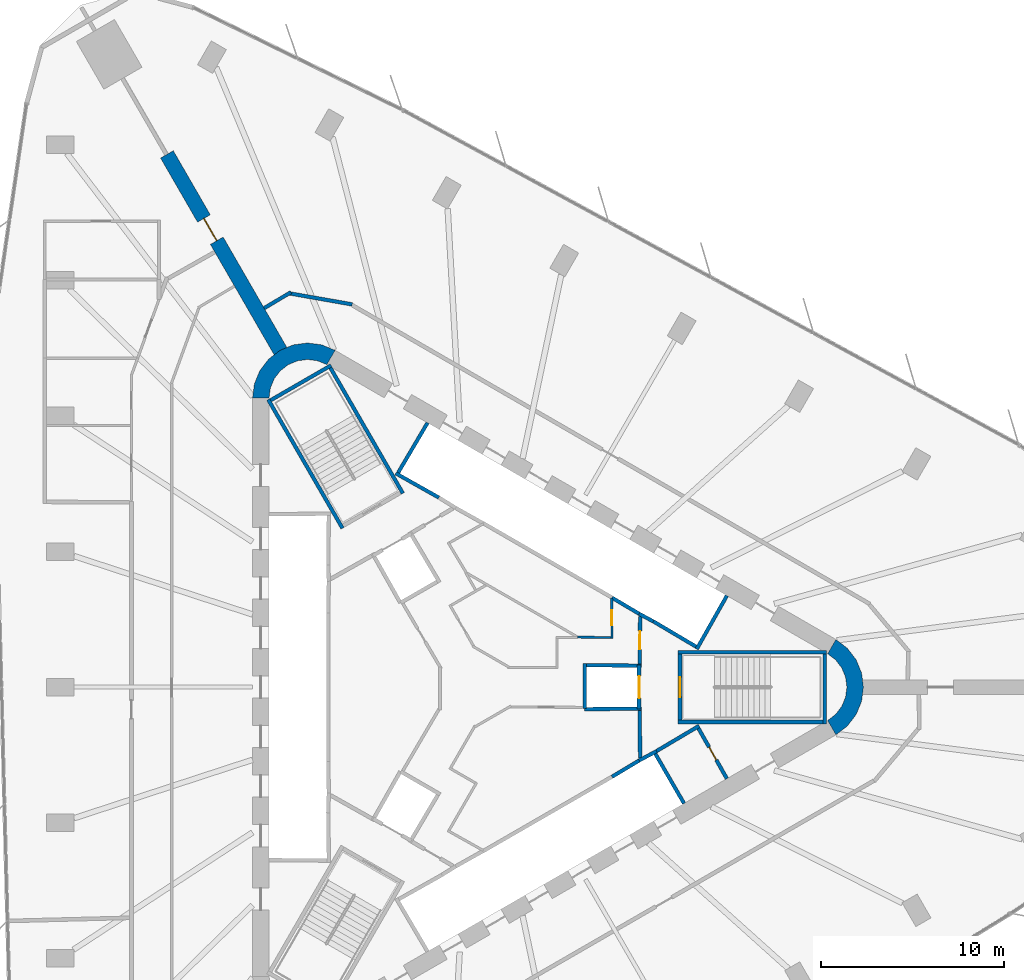
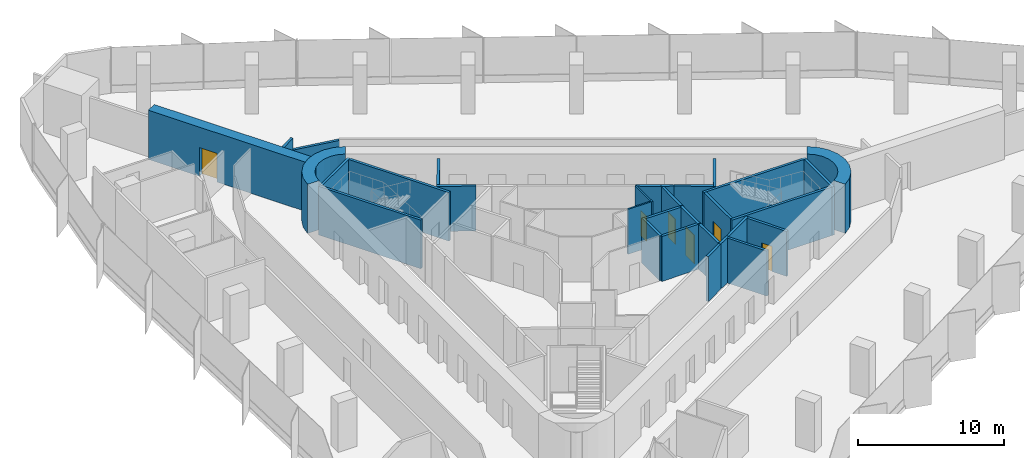
# One storey, part 11 of 14: 31 walls, 6 doors, 6 openings.
"""IFC4 building model written with IfcOpenShell, lengths in metres."""

from ifc_helpers import new_model, si_unit, direction, frame, frame_2d, origin, place, context, subcontext, project, spatial, polyline, rectangle, outline, extrude, material, layer, layer_set, type_object, element, fill, save


model = new_model("IFC4")

# Units and contexts
model_context = context("Model", 3, precision=1e-05, world=origin(), true_north=direction((0.0, 1.0)))
body_context = subcontext(model_context, "Body", "Model", "MODEL_VIEW")
ifc_project = project(units=[si_unit("LENGTHUNIT", "METRE"), si_unit("AREAUNIT", "SQUARE_METRE"), si_unit("VOLUMEUNIT", "CUBIC_METRE"), si_unit("PLANEANGLEUNIT", "RADIAN"), si_unit("MASSUNIT", "GRAM", prefix="KILO")], contexts=[model_context])

# Site, building, storey
site_placement = place(None, origin())
site = spatial("IfcSite", under=ifc_project, at=site_placement, CompositionType="ELEMENT")
building_placement = place(site_placement, origin())
building = spatial("IfcBuilding", under=site, at=building_placement, Name="Tanit Gate Tower", CompositionType="ELEMENT")
storey_placement = place(building_placement, frame((0.0, 0.0, 152.10009765625)))
storey = spatial("IfcBuildingStorey", under=building, at=storey_placement, Name="L33", CompositionType="ELEMENT", Elevation=152.10009765625)

# Wall, opening, door
ifc_material_1 = material(Name="Concrete C60/75", Category="concrete")
ifc_layer_1 = layer(ifc_material_1, 0.800048828125)
ifc_layer_set_1 = layer_set([ifc_layer_1], Name="BUTTRESS FIN 800 C60/75")
wall_type_1 = type_object("IfcWallType", Name="BUTTRESS FIN 800 C60/75", PredefinedType="SHEAR", material=ifc_layer_set_1)
wall_1_placement = place(storey_placement, frame((-10.574951171875, 18.31640625, 0.0), z_axis=(0.0, 0.0, 1.0), x_axis=(-0.500002326941, 0.86602406032, 0.0)))
wall_1 = element("IfcWall", 1, at=wall_1_placement, inside=storey, type_object=wall_type_1, Name="BUTTRESS FIN", PredefinedType="SHEAR", context=body_context, shape_type="SweptSolid", body=[
    extrude(rectangle(XDim=12.3837890625, YDim=0.800048828125, at=frame_2d((6.19189453125, 0.0))), origin(), (0.0, 0.0, 1.0), 4.099853515625),
])
opening_1_placement = place(wall_1_placement, frame((6.949951171875, 0.0, 0.0)))
opening_1 = element("IfcOpeningElement", 2, at=opening_1_placement, cuts=wall_1, Name="Opening P14-S08-F-NW-1", PredefinedType="OPENING", context=body_context, shape_type="SweptSolid", body=[
    extrude(rectangle(XDim=1.39990234375, YDim=2.39990234375, at=frame_2d((0.699951171875, 1.199951171875))), frame((0.0, 0.41015625, 0.0), z_axis=(0.0, -1.0, 0.0), x_axis=(1.0, 0.0, 0.0)), (0.0, 0.0, 1.0), 0.820068359375),
])
ifc_material_2 = material(Name="Timber door leaf", Category="wood")
door_type_1 = type_object("IfcDoorType", Name="INT-DOOR-FIN-PAIR-1400", OperationType="NOTDEFINED", PredefinedType="NOTDEFINED", material=ifc_material_2)
door_1_placement = place(opening_1_placement, origin())
door_1 = element("IfcDoor", 3, at=door_1_placement, inside=storey, type_object=door_type_1, Name="Door P14-S08-F-NW-1", OperationType="DOUBLE_DOOR_SINGLE_SWING", OverallHeight=2.39990234375, OverallWidth=1.39990234375, PredefinedType="NOTDEFINED", context=body_context, shape_type="SweptSolid", body=[
    extrude(rectangle(XDim=1.39990234375, YDim=2.39990234375, at=frame_2d((0.699951171875, 1.199951171875))), frame((0.0, 0.02490234375, 0.0), z_axis=(0.0, -1.0, 0.0), x_axis=(1.0, 0.0, 0.0)), (0.0, 0.0, 1.0), 0.050048828125),
])
fill(opening_1, door_1)

# Walls
ifc_material_3 = material(Name="Concrete C60/75", Category="concrete")
ifc_layer_2 = layer(ifc_material_3, 0.89990234375)
ifc_layer_set_2 = layer_set([ifc_layer_2], Name="CORE WALL 900 C60/75")
wall_type_2 = type_object("IfcWallType", Name="CORE WALL 900 C60/75", PredefinedType="SHEAR", material=ifc_layer_set_2)
wall_2_placement = place(storey_placement, origin())
element("IfcWall", 4, at=wall_2_placement, inside=storey, type_object=wall_type_2, Name="CORE WALL CORNER", PredefinedType="SHEAR", context=body_context, shape_type="SweptSolid", body=[
    extrude(outline(polyline([(-7.60009765625, 18.359619140625), (-8.323486328125, 18.659423828125), (-9.10009765625, 18.76171875), (-9.87646484375, 18.659423828125), (-10.60009765625, 18.359619140625), (-11.22119140625, 17.883056640625), (-11.697998046875, 17.26171875), (-11.997802734375, 16.5380859375), (-12.10009765625, 15.76171875), (-11.199951171875, 15.76171875), (-11.12841796875, 16.30517578125), (-10.918701171875, 16.811767578125), (-10.5849609375, 17.24658203125), (-10.14990234375, 17.580322265625), (-9.6435546875, 17.7900390625), (-9.10009765625, 17.86181640625), (-8.556396484375, 17.7900390625), (-8.050048828125, 17.580322265625), (-7.60009765625, 18.359619140625)])), origin(), (0.0, 0.0, 1.0), 4.099853515625),
])
wall_3_placement = place(storey_placement, origin())
element("IfcWall", 5, at=wall_3_placement, inside=storey, type_object=wall_type_2, Name="CORE WALL CORNER", PredefinedType="SHEAR", context=body_context, shape_type="SweptSolid", body=[
    extrude(outline(polyline([(19.699951171875, -2.59814453125), (20.3212890625, -2.121337890625), (20.798095703125, -1.5), (21.097900390625, -0.776611328125), (21.199951171875, 0.0), (21.097900390625, 0.776611328125), (20.798095703125, 1.5), (20.3212890625, 2.121337890625), (19.699951171875, 2.59814453125), (19.25, 1.818603515625), (19.684814453125, 1.48486328125), (20.018798828125, 1.050048828125), (20.228515625, 0.54345703125), (20.300048828125, 0.0), (20.228515625, -0.54345703125), (20.018798828125, -1.050048828125), (19.684814453125, -1.48486328125), (19.25, -1.818603515625), (19.699951171875, -2.59814453125)])), origin(), (0.0, 0.0, 1.0), 4.099853515625),
])
ifc_material_4 = material(Name="Fire-rated gypsum board partition")
ifc_layer_3 = layer(ifc_material_4, 0.199951171875)
ifc_layer_set_3 = layer_set([ifc_layer_3], Name="INT-WALL-COMPARTMENT")
wall_type_3 = type_object("IfcWallType", Name="INT-WALL-COMPARTMENT", PredefinedType="PARTITIONING", material=ifc_layer_set_3)
wall_4_placement = place(storey_placement, frame((12.244873046875, -2.10888671875, 0.0), z_axis=(0.0, 0.0, 1.0), x_axis=(-0.860414880418, -0.509594185166, 0.0)))
element("IfcWall", 6, at=wall_4_placement, inside=storey, type_object=wall_type_3, Name="Wall Compartment W057", PredefinedType="PARTITIONING", context=body_context, shape_type="SweptSolid", body=[
    extrude(rectangle(XDim=2.7001953125, YDim=0.199951171875, at=frame_2d((1.35009765625, 0.0))), origin(), (0.0, 0.0, 1.0), 3.75),
])

# Wall, opening, door
wall_5_placement = place(storey_placement, frame((13.758056640625, -4.989501953125, 0.0), z_axis=(0.0, 0.0, 1.0), x_axis=(-0.491993409184, 0.87059892334, 0.0)))
wall_5 = element("IfcWall", 7, at=wall_5_placement, inside=storey, type_object=wall_type_3, Name="Wall Compartment W058", PredefinedType="PARTITIONING", context=body_context, shape_type="SweptSolid", body=[
    extrude(rectangle(XDim=3.150146484375, YDim=0.199951171875, at=frame_2d((1.5751953125, 0.0))), origin(), (0.0, 0.0, 1.0), 3.75),
])
opening_2_placement = place(wall_5_placement, frame((1.175048828125, 0.0, 0.0)))
opening_2 = element("IfcOpeningElement", 8, at=opening_2_placement, cuts=wall_5, Name="Opening R08-S08-14", PredefinedType="OPENING", context=body_context, shape_type="SweptSolid", body=[
    extrude(rectangle(XDim=0.800048828125, YDim=2.10009765625, at=frame_2d((0.39990234375, 1.050048828125))), frame((0.0, 0.10986328125, 0.0), z_axis=(0.0, -1.0, 0.0), x_axis=(1.0, 0.0, 0.0)), (0.0, 0.0, 1.0), 0.219970703125),
])
ifc_material_5 = material(Name="Timber door leaf", Category="wood")
door_type_2 = type_object("IfcDoorType", Name="INT-DOOR-RISER-800", OperationType="NOTDEFINED", PredefinedType="USERDEFINED", material=ifc_material_5)
door_2_placement = place(opening_2_placement, origin())
door_2 = element("IfcDoor", 9, at=door_2_placement, inside=storey, type_object=door_type_2, Name="Door R08-S08-14", ObjectType="FIRE DOOR", OperationType="SINGLE_SWING_LEFT", OverallHeight=2.10009765625, OverallWidth=0.800048828125, PredefinedType="USERDEFINED", context=body_context, shape_type="SweptSolid", body=[
    extrude(rectangle(XDim=0.800048828125, YDim=2.10009765625, at=frame_2d((0.39990234375, 1.050048828125))), frame((0.0, 0.02490234375, 0.0), z_axis=(0.0, -1.0, 0.0), x_axis=(1.0, 0.0, 0.0)), (0.0, 0.0, 1.0), 0.050048828125),
])
fill(opening_2, door_2)

# Wall
wall_6_placement = place(storey_placement, frame((9.02880859375, -3.8505859375, 0.0), z_axis=(0.0, 0.0, 1.0), x_axis=(-0.010784614026, 0.999941844359, 0.0)))
element("IfcWall", 10, at=wall_6_placement, inside=storey, type_object=wall_type_3, Name="Wall Compartment W059", PredefinedType="PARTITIONING", context=body_context, shape_type="SweptSolid", body=[
    extrude(rectangle(XDim=2.580810546875, YDim=0.199951171875, at=frame_2d((1.29052734375, 0.0))), origin(), (0.0, 0.0, 1.0), 3.75),
])

# Wall, opening, door
wall_7_placement = place(storey_placement, frame((9.0009765625, 1.27001953125, 0.0), z_axis=(0.0, 0.0, 1.0), x_axis=(0.010783593937, 0.99994185536, 0.0)))
wall_7 = element("IfcWall", 11, at=wall_7_placement, inside=storey, type_object=wall_type_3, Name="Wall Compartment W060", PredefinedType="PARTITIONING", context=body_context, shape_type="SweptSolid", body=[
    extrude(rectangle(XDim=2.5810546875, YDim=0.199951171875, at=frame_2d((1.29052734375, 0.0))), origin(), (0.0, 0.0, 1.0), 3.75),
])
opening_3_placement = place(wall_7_placement, frame((0.79052734375, 0.0, 0.0)))
opening_3 = element("IfcOpeningElement", 12, at=opening_3_placement, cuts=wall_7, Name="Opening F10-S08-02", PredefinedType="OPENING", context=body_context, shape_type="SweptSolid", body=[
    extrude(rectangle(XDim=1.0, YDim=2.10009765625, at=frame_2d((0.5, 1.050048828125))), frame((0.0, 0.10986328125, 0.0), z_axis=(0.0, -1.0, 0.0), x_axis=(1.0, 0.0, 0.0)), (0.0, 0.0, 1.0), 0.219970703125),
])
ifc_material_6 = material(Name="Fire-rated steel door leaf", Category="steel")
door_type_3 = type_object("IfcDoorType", Name="INT-DOOR-FIRE-1000", OperationType="NOTDEFINED", PredefinedType="USERDEFINED", material=ifc_material_6)
door_3_placement = place(opening_3_placement, origin())
door_3 = element("IfcDoor", 13, at=door_3_placement, inside=storey, type_object=door_type_3, Name="Door F10-S08-02", ObjectType="FIRE DOOR", OperationType="SINGLE_SWING_LEFT", OverallHeight=2.10009765625, OverallWidth=1.0, PredefinedType="USERDEFINED", context=body_context, shape_type="SweptSolid", body=[
    extrude(rectangle(XDim=1.0, YDim=2.10009765625, at=frame_2d((0.5, 1.050048828125))), frame((0.0, 0.02490234375, 0.0), z_axis=(0.0, -1.0, 0.0), x_axis=(1.0, 0.0, 0.0)), (0.0, 0.0, 1.0), 0.050048828125),
])
fill(opening_3, door_3)

# Walls
wall_8_placement = place(storey_placement, frame((-10.00732421875, 21.528564453125, 0.0), z_axis=(0.0, 0.0, 1.0), x_axis=(-0.858379714818, -0.513014878136, 0.0)))
element("IfcWall", 14, at=wall_8_placement, inside=storey, type_object=wall_type_3, Name="Wall Compartment W101", PredefinedType="PARTITIONING", context=body_context, shape_type="SweptSolid", body=[
    extrude(rectangle(XDim=1.697998046875, YDim=0.199951171875, at=frame_2d((0.84912109375, 0.0))), origin(), (0.0, 0.0, 1.0), 3.75),
])
wall_9_placement = place(storey_placement, frame((-6.667236328125, 20.863037109375, 0.0), z_axis=(0.0, 0.0, 1.0), x_axis=(-0.984817805596, 0.173591156977, 0.0)))
element("IfcWall", 15, at=wall_9_placement, inside=storey, type_object=wall_type_3, Name="Wall Compartment W102", PredefinedType="PARTITIONING", context=body_context, shape_type="SweptSolid", body=[
    extrude(rectangle(XDim=3.44287109375, YDim=0.199951171875, at=frame_2d((1.721435546875, 0.0))), origin(), (0.0, 0.0, 1.0), 2.829833984375),
])

# Wall, opening, door
ifc_material_7 = material(Name="Gypsum board partition")
ifc_layer_4 = layer(ifc_material_7, 0.1201171875)
ifc_layer_set_4 = layer_set([ifc_layer_4], Name="INT-WALL-PARTITION")
wall_type_4 = type_object("IfcWallType", Name="INT-WALL-PARTITION", PredefinedType="PARTITIONING", material=ifc_layer_set_4)
wall_10_placement = place(storey_placement, frame((7.500732421875, 2.639892578125, 0.0), z_axis=(0.0, 0.0, 1.0), x_axis=(-0.01174194727, 0.999931060961, 0.0)))
wall_10 = element("IfcWall", 16, at=wall_10_placement, inside=storey, type_object=wall_type_4, Name="Wall Partition W077", PredefinedType="PARTITIONING", context=body_context, shape_type="SweptSolid", body=[
    extrude(rectangle(XDim=2.224853515625, YDim=0.1201171875, at=frame_2d((1.1123046875, 0.0))), origin(), (0.0, 0.0, 1.0), 3.75),
])
opening_4_placement = place(wall_10_placement, frame((0.7421875, 0.0, 0.0)))
opening_4 = element("IfcOpeningElement", 17, at=opening_4_placement, cuts=wall_10, Name="Opening R08-S08-12", PredefinedType="OPENING", context=body_context, shape_type="SweptSolid", body=[
    extrude(rectangle(XDim=0.800048828125, YDim=2.10009765625, at=frame_2d((0.39990234375, 1.050048828125))), frame((0.0, 0.070068359375, 0.0), z_axis=(0.0, -1.0, 0.0), x_axis=(1.0, 0.0, 0.0)), (0.0, 0.0, 1.0), 0.14013671875),
])
door_4_placement = place(opening_4_placement, origin())
door_4 = element("IfcDoor", 18, at=door_4_placement, inside=storey, type_object=door_type_2, Name="Door R08-S08-12", ObjectType="FIRE DOOR", OperationType="SINGLE_SWING_RIGHT", OverallHeight=2.10009765625, OverallWidth=0.800048828125, PredefinedType="USERDEFINED", context=body_context, shape_type="SweptSolid", body=[
    extrude(rectangle(XDim=0.800048828125, YDim=2.10009765625, at=frame_2d((0.39990234375, 1.050048828125))), frame((0.0, 0.02490234375, 0.0), z_axis=(0.0, -1.0, 0.0), x_axis=(1.0, 0.0, 0.0)), (0.0, 0.0, 1.0), 0.050048828125),
])
fill(opening_4, door_4)

# Walls
wall_11_placement = place(storey_placement, frame((5.616943359375, 2.72900390625, 0.0), z_axis=(0.0, 0.0, 1.0), x_axis=(0.999881424181, -0.015399271967, 0.0)))
element("IfcWall", 19, at=wall_11_placement, inside=storey, type_object=wall_type_4, Name="Wall Partition W078", PredefinedType="PARTITIONING", context=body_context, shape_type="SweptSolid", body=[
    extrude(rectangle(XDim=1.8232421875, YDim=0.1201171875, at=frame_2d((0.91162109375, 0.0))), origin(), (0.0, 0.0, 1.0), 3.75),
])
ifc_material_8 = material(Name="Gypsum shaft wall system")
ifc_layer_5 = layer(ifc_material_8, 0.199951171875)
ifc_layer_set_5 = layer_set([ifc_layer_5], Name="INT-WALL-SHAFT")
wall_type_5 = type_object("IfcWallType", Name="INT-WALL-SHAFT", PredefinedType="PLUMBINGWALL", material=ifc_layer_set_5)
wall_12_placement = place(storey_placement, frame((12.10986328125, 2.07275390625, 0.0), z_axis=(0.0, 0.0, 1.0), x_axis=(0.49196600604, 0.870614408852, 0.0)))
element("IfcWall", 20, at=wall_12_placement, inside=storey, type_object=wall_type_5, Name="Wall Shaft W013", PredefinedType="PLUMBINGWALL", context=body_context, shape_type="SweptSolid", body=[
    extrude(rectangle(XDim=3.35009765625, YDim=0.199951171875, at=frame_2d((1.675048828125, 0.0))), origin(), (0.0, 0.0, 1.0), 3.75),
])
wall_13_placement = place(storey_placement, frame((12.072998046875, 2.2109375, 0.0), z_axis=(0.0, 0.0, 1.0), x_axis=(-0.860438357912, 0.509554542943, 0.0)))
element("IfcWall", 21, at=wall_13_placement, inside=storey, type_object=wall_type_5, Name="Wall Shaft W014", PredefinedType="PLUMBINGWALL", context=body_context, shape_type="SweptSolid", body=[
    extrude(rectangle(XDim=2.700439453125, YDim=0.199951171875, at=frame_2d((1.35009765625, 0.0))), origin(), (0.0, 0.0, 1.0), 3.75),
])
wall_14_placement = place(storey_placement, frame((9.74755859375, 3.583251953125, 0.0), z_axis=(0.0, 0.0, 1.0), x_axis=(-0.880917147855, 0.473270513147, 0.0)))
element("IfcWall", 22, at=wall_14_placement, inside=storey, type_object=wall_type_5, Name="Wall Shaft W015", PredefinedType="PLUMBINGWALL", context=body_context, shape_type="SweptSolid", body=[
    extrude(rectangle(XDim=0.8779296875, YDim=0.199951171875, at=frame_2d((0.43896484375, 0.0))), origin(), (0.0, 0.0, 1.0), 3.75),
])
wall_15_placement = place(storey_placement, frame((9.07958984375, 3.93701171875, 0.0), z_axis=(0.0, 0.0, 1.0), x_axis=(-0.859981807212, 0.510324691999, 0.0)))
element("IfcWall", 23, at=wall_15_placement, inside=storey, type_object=wall_type_5, Name="Wall Shaft W016", PredefinedType="PLUMBINGWALL", context=body_context, shape_type="SweptSolid", body=[
    extrude(rectangle(XDim=1.8447265625, YDim=0.199951171875, at=frame_2d((0.92236328125, 0.0))), origin(), (0.0, 0.0, 1.0), 3.75),
])
wall_16_placement = place(storey_placement, frame((-4.296142578125, 11.658935546875, 0.0), z_axis=(0.0, 0.0, 1.0), x_axis=(0.871534483978, -0.490334215854, 0.0)))
element("IfcWall", 24, at=wall_16_placement, inside=storey, type_object=wall_type_5, Name="Wall Shaft W021", PredefinedType="PLUMBINGWALL", context=body_context, shape_type="SweptSolid", body=[
    extrude(rectangle(XDim=2.7001953125, YDim=0.199951171875, at=frame_2d((1.35009765625, 0.0))), origin(), (0.0, 0.0, 1.0), 3.75),
])
wall_17_placement = place(storey_placement, frame((-4.158203125, 11.696044921875, 0.0), z_axis=(0.0, 0.0, 1.0), x_axis=(0.508018930956, 0.861345903683, 0.0)))
element("IfcWall", 25, at=wall_17_placement, inside=storey, type_object=wall_type_5, Name="Wall Shaft W022", PredefinedType="PLUMBINGWALL", context=body_context, shape_type="SweptSolid", body=[
    extrude(rectangle(XDim=3.150146484375, YDim=0.199951171875, at=frame_2d((1.5751953125, 0.0))), origin(), (0.0, 0.0, 1.0), 3.75),
])
wall_18_placement = place(storey_placement, frame((9.794677734375, -3.52490234375, 0.0), z_axis=(0.0, 0.0, 1.0), x_axis=(0.499984717929, -0.866034226713, 0.0)))
element("IfcWall", 26, at=wall_18_placement, inside=storey, type_object=wall_type_5, Name="Wall Shaft W024", PredefinedType="PLUMBINGWALL", context=body_context, shape_type="SweptSolid", body=[
    extrude(rectangle(XDim=3.25, YDim=0.199951171875, at=frame_2d((1.625, 0.0))), origin(), (0.0, 0.0, 1.0), 3.75),
])
wall_19_placement = place(storey_placement, frame((8.97412109375, -3.998779296875, 0.0), z_axis=(0.0, 0.0, 1.0), x_axis=(0.880907015104, 0.473289373154, 0.0)))
element("IfcWall", 27, at=wall_19_placement, inside=storey, type_object=wall_type_5, Name="Wall Shaft W025", PredefinedType="PLUMBINGWALL", context=body_context, shape_type="SweptSolid", body=[
    extrude(rectangle(XDim=1.078125, YDim=0.199951171875, at=frame_2d((0.5390625, 0.0))), origin(), (0.0, 0.0, 1.0), 3.75),
])
wall_20_placement = place(storey_placement, frame((7.497314453125, -4.885986328125, 0.0), z_axis=(0.0, 0.0, 1.0), x_axis=(0.857516281273, 0.51445682749, 0.0)))
element("IfcWall", 28, at=wall_20_placement, inside=storey, type_object=wall_type_5, Name="Wall Shaft W026", PredefinedType="PLUMBINGWALL", context=body_context, shape_type="SweptSolid", body=[
    extrude(rectangle(XDim=1.8447265625, YDim=0.199951171875, at=frame_2d((0.92236328125, 0.0))), origin(), (0.0, 0.0, 1.0), 3.75),
])

# Wall, opening, door
wall_21_placement = place(storey_placement, frame((8.969970703125, 1.199951171875, 0.0), z_axis=(0.0, 0.0, 1.0), x_axis=(0.0, -1.0, 0.0)))
wall_21 = element("IfcWall", 29, at=wall_21_placement, inside=storey, type_object=wall_type_5, Name="Wall Shaft W037", PredefinedType="PLUMBINGWALL", context=body_context, shape_type="SweptSolid", body=[
    extrude(rectangle(XDim=2.39990234375, YDim=0.199951171875, at=frame_2d((1.199951171875, 0.0))), origin(), (0.0, 0.0, 1.0), 3.75),
])
opening_5_placement = place(wall_21_placement, frame((0.60009765625, 0.0, 0.0)))
opening_5 = element("IfcOpeningElement", 30, at=opening_5_placement, cuts=wall_21, Name="Opening LDFL1-L33", PredefinedType="OPENING", context=body_context, shape_type="SweptSolid", body=[
    extrude(rectangle(XDim=1.199951171875, YDim=2.39990234375, at=frame_2d((0.60009765625, 1.199951171875))), frame((0.0, 0.10986328125, 0.0), z_axis=(0.0, -1.0, 0.0), x_axis=(1.0, 0.0, 0.0)), (0.0, 0.0, 1.0), 0.219970703125),
])
ifc_material_9 = material(Name="Stainless steel sliding door leaf", Category="steel")
door_type_4 = type_object("IfcDoorType", Name="INT-DOOR-LANDING-1200", OperationType="NOTDEFINED", PredefinedType="USERDEFINED", material=ifc_material_9)
door_5_placement = place(opening_5_placement, origin())
door_5 = element("IfcDoor", 31, at=door_5_placement, inside=storey, type_object=door_type_4, Name="Door LDFL1-L33", ObjectType="LANDING DOOR", OperationType="SLIDING_TO_LEFT", OverallHeight=2.39990234375, OverallWidth=1.199951171875, PredefinedType="USERDEFINED", context=body_context, shape_type="SweptSolid", body=[
    extrude(rectangle(XDim=1.199951171875, YDim=2.39990234375, at=frame_2d((0.60009765625, 1.199951171875))), frame((0.0, 0.02490234375, 0.0), z_axis=(0.0, -1.0, 0.0), x_axis=(1.0, 0.0, 0.0)), (0.0, 0.0, 1.0), 0.050048828125),
])
fill(opening_5, door_5)

# Walls
wall_22_placement = place(storey_placement, frame((9.10009765625, -1.1689453125, 0.0), z_axis=(0.0, 0.0, 1.0), x_axis=(-0.999949988, -0.010001074852, 0.0)))
element("IfcWall", 32, at=wall_22_placement, inside=storey, type_object=wall_type_5, Name="Wall Shaft W038", PredefinedType="PLUMBINGWALL", context=body_context, shape_type="SweptSolid", body=[
    extrude(rectangle(XDim=3.100341796875, YDim=0.199951171875, at=frame_2d((1.55029296875, 0.0))), origin(), (0.0, 0.0, 1.0), 3.75),
])
wall_23_placement = place(storey_placement, frame((6.0, -1.16455078125, 0.0), z_axis=(0.0, 0.0, 1.0), x_axis=(0.0, 1.0, 0.0)))
element("IfcWall", 33, at=wall_23_placement, inside=storey, type_object=wall_type_5, Name="Wall Shaft W039", PredefinedType="PLUMBINGWALL", context=body_context, shape_type="SweptSolid", body=[
    extrude(rectangle(XDim=2.464599609375, YDim=0.199951171875, at=frame_2d((1.232421875, 0.0))), origin(), (0.0, 0.0, 1.0), 3.75),
])
wall_24_placement = place(storey_placement, frame((9.10009765625, 1.1689453125, 0.0), z_axis=(0.0, 0.0, 1.0), x_axis=(-0.99994990606, 0.010009264196, 0.0)))
element("IfcWall", 34, at=wall_24_placement, inside=storey, type_object=wall_type_5, Name="Wall Shaft W040", PredefinedType="PLUMBINGWALL", context=body_context, shape_type="SweptSolid", body=[
    extrude(rectangle(XDim=3.000244140625, YDim=0.199951171875, at=frame_2d((1.5, 0.0))), origin(), (0.0, 0.0, 1.0), 3.75),
])
ifc_material_10 = material(Name="Concrete C40/50", Category="concrete")
ifc_layer_6 = layer(ifc_material_10, 0.199951171875)
ifc_layer_set_6 = layer_set([ifc_layer_6], Name="INT-WALL-STAIR")
wall_type_6 = type_object("IfcWallType", Name="INT-WALL-STAIR", PredefinedType="SHEAR", material=ifc_layer_set_6)
wall_25_placement = place(storey_placement, frame((19.199951171875, 1.89990234375, -0.300048828125), z_axis=(0.0, 0.0, 1.0), x_axis=(-1.0, 0.0, 0.0)))
element("IfcWall", 35, at=wall_25_placement, inside=storey, type_object=wall_type_6, Name="Wall Stair W033", PredefinedType="SHEAR", context=body_context, shape_type="SweptSolid", body=[
    extrude(rectangle(XDim=8.099853515625, YDim=0.199951171875, at=frame_2d((4.0498046875, 0.0))), origin(), (0.0, 0.0, 1.0), 4.050048828125),
])
wall_26_placement = place(storey_placement, frame((19.10009765625, -2.0, -0.300048828125), z_axis=(0.0, 0.0, 1.0), x_axis=(0.0, 1.0, 0.0)))
element("IfcWall", 36, at=wall_26_placement, inside=storey, type_object=wall_type_6, Name="Wall Stair W034", PredefinedType="SHEAR", context=body_context, shape_type="SweptSolid", body=[
    extrude(rectangle(XDim=3.800048828125, YDim=0.199951171875, at=frame_2d((1.89990234375, 0.0))), origin(), (0.0, 0.0, 1.0), 4.050048828125),
])
wall_27_placement = place(storey_placement, frame((11.10009765625, -1.89990234375, -0.300048828125), z_axis=(0.0, 0.0, 1.0), x_axis=(1.0, 0.0, 0.0)))
element("IfcWall", 37, at=wall_27_placement, inside=storey, type_object=wall_type_6, Name="Wall Stair W035", PredefinedType="SHEAR", context=body_context, shape_type="SweptSolid", body=[
    extrude(rectangle(XDim=7.89990234375, YDim=0.199951171875, at=frame_2d((3.949951171875, 0.0))), origin(), (0.0, 0.0, 1.0), 4.050048828125),
])

# Wall, opening, door
wall_28_placement = place(storey_placement, frame((11.199951171875, -1.800048828125, -0.300048828125), z_axis=(0.0, 0.0, 1.0), x_axis=(0.0, 1.0, 0.0)))
wall_28 = element("IfcWall", 38, at=wall_28_placement, inside=storey, type_object=wall_type_6, Name="Wall Stair W036", PredefinedType="SHEAR", context=body_context, shape_type="SweptSolid", body=[
    extrude(rectangle(XDim=3.60009765625, YDim=0.199951171875, at=frame_2d((1.800048828125, 0.0))), origin(), (0.0, 0.0, 1.0), 4.050048828125),
])
opening_6_placement = place(wall_28_placement, frame((1.25, 0.0, 0.300048828125)))
opening_6 = element("IfcOpeningElement", 39, at=opening_6_placement, cuts=wall_28, Name="Opening S11-S08-01", PredefinedType="OPENING", context=body_context, shape_type="SweptSolid", body=[
    extrude(rectangle(XDim=1.10009765625, YDim=2.10009765625, at=frame_2d((0.550048828125, 1.050048828125))), frame((0.0, 0.10986328125, 0.0), z_axis=(0.0, -1.0, 0.0), x_axis=(1.0, 0.0, 0.0)), (0.0, 0.0, 1.0), 0.219970703125),
])
ifc_material_11 = material(Name="Timber door leaf", Category="wood")
door_type_5 = type_object("IfcDoorType", Name="INT-DOOR-STAIR-1100", OperationType="NOTDEFINED", PredefinedType="USERDEFINED", material=ifc_material_11)
door_6_placement = place(opening_6_placement, origin())
door_6 = element("IfcDoor", 40, at=door_6_placement, inside=storey, type_object=door_type_5, Name="Door S11-S08-01", ObjectType="FIRE DOOR", OperationType="SINGLE_SWING_LEFT", OverallHeight=2.10009765625, OverallWidth=1.10009765625, PredefinedType="USERDEFINED", context=body_context, shape_type="SweptSolid", body=[
    extrude(rectangle(XDim=1.10009765625, YDim=2.10009765625, at=frame_2d((0.550048828125, 1.050048828125))), frame((0.0, 0.02490234375, 0.0), z_axis=(0.0, -1.0, 0.0), x_axis=(1.0, 0.0, 0.0)), (0.0, 0.0, 1.0), 0.050048828125),
])
fill(opening_6, door_6)

# Walls
wall_29_placement = place(storey_placement, frame((-11.245361328125, 15.677734375, -0.300048828125), z_axis=(0.0, 0.0, 1.0), x_axis=(0.499977274689, -0.866038523851, 0.0)))
element("IfcWall", 41, at=wall_29_placement, inside=storey, type_object=wall_type_6, Name="Wall Stair W041", PredefinedType="SHEAR", context=body_context, shape_type="SweptSolid", body=[
    extrude(rectangle(XDim=8.10009765625, YDim=0.199951171875, at=frame_2d((4.050048828125, 0.0))), origin(), (0.0, 0.0, 1.0), 4.050048828125),
])
wall_30_placement = place(storey_placement, frame((-7.81787109375, 17.541015625, -0.300048828125), z_axis=(0.0, 0.0, 1.0), x_axis=(-0.866044365799, -0.499967155389, 0.0)))
element("IfcWall", 42, at=wall_30_placement, inside=storey, type_object=wall_type_6, Name="Wall Stair W042", PredefinedType="SHEAR", context=body_context, shape_type="SweptSolid", body=[
    extrude(rectangle(XDim=3.800048828125, YDim=0.199951171875, at=frame_2d((1.89990234375, 0.0))), origin(), (0.0, 0.0, 1.0), 4.050048828125),
])
wall_31_placement = place(storey_placement, frame((-7.8544921875, 17.404541015625, -0.300048828125), z_axis=(0.0, 0.0, 1.0), x_axis=(0.499997992926, -0.866026562566, 0.0)))
element("IfcWall", 43, at=wall_31_placement, inside=storey, type_object=wall_type_6, Name="Wall Stair W043", PredefinedType="SHEAR", context=body_context, shape_type="SweptSolid", body=[
    extrude(rectangle(XDim=7.89990234375, YDim=0.199951171875, at=frame_2d((3.949951171875, 0.0))), origin(), (0.0, 0.0, 1.0), 4.050048828125),
])

save(model, "model.ifc")
